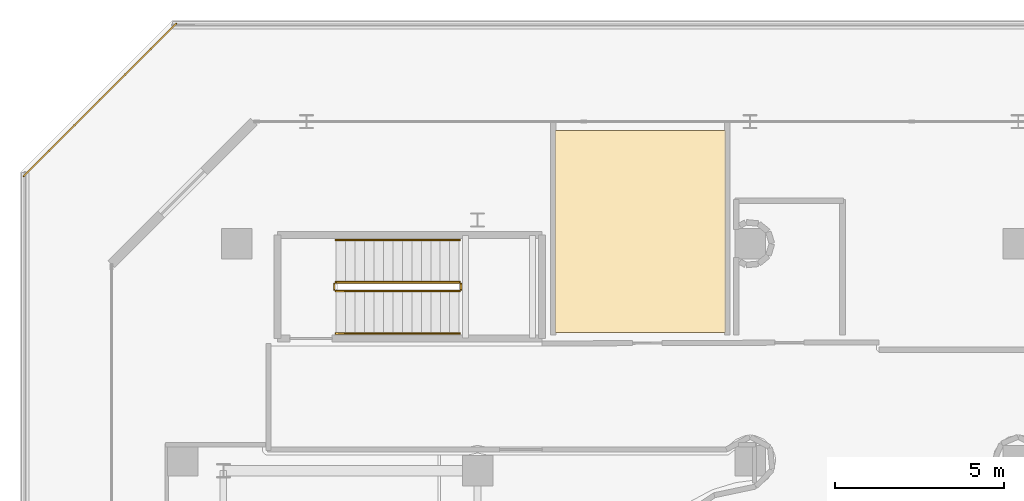
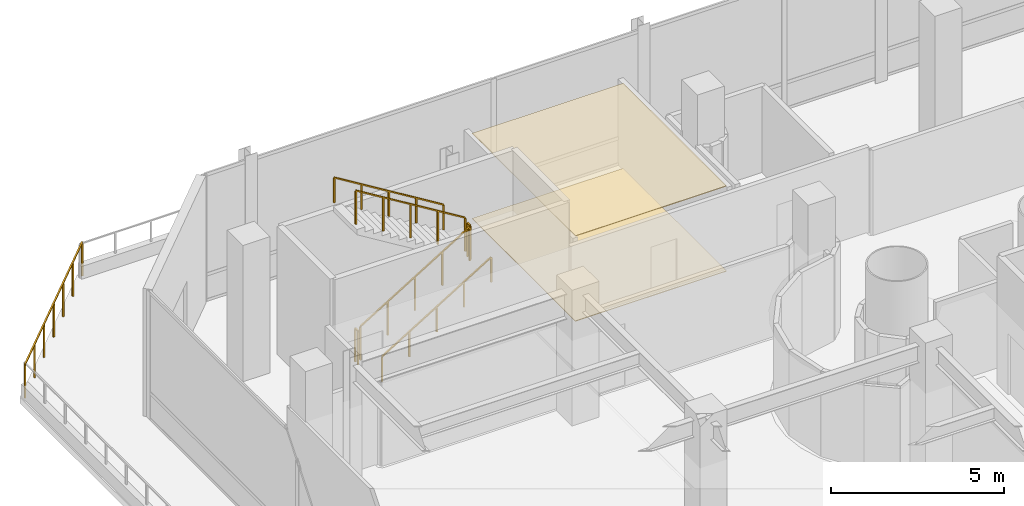
# One storey, part 38 of 39: 7 railings, 2 coverings.
"""IFC4 building model written with IfcOpenShell, lengths in metres."""

from ifc_helpers import new_model, si_unit, direction, frame, origin, origin_2d, place, context, subcontext, project, spatial, polyline, rectangle, outline, extrude, material, layer, layer_set, type_object, element, save


model = new_model("IFC4")

# Units and contexts
model_context = context("Model", 3, precision=1e-05, world=origin(), true_north=direction((0.0, 1.0)))
body_context = subcontext(model_context, "Body", "Model", "MODEL_VIEW")
ifc_project = project(units=[si_unit("LENGTHUNIT", "METRE"), si_unit("AREAUNIT", "SQUARE_METRE"), si_unit("VOLUMEUNIT", "CUBIC_METRE"), si_unit("PLANEANGLEUNIT", "RADIAN"), si_unit("MASSUNIT", "GRAM", prefix="KILO")], contexts=[model_context])

# Site, building, storey
site_placement = place(None, origin())
site = spatial("IfcSite", under=ifc_project, at=site_placement, CompositionType="ELEMENT")
building_placement = place(site_placement, origin())
building = spatial("IfcBuilding", under=site, at=building_placement, Name="Qianvela Tower", CompositionType="ELEMENT")
storey_placement = place(building_placement, frame((0.0, 0.0, 15.800048828125)))
storey = spatial("IfcBuildingStorey", under=building, at=storey_placement, Name="L03", CompositionType="ELEMENT", Elevation=15.800048828125)

# Coverings
ifc_material_1 = material(Name="Perforated Mineral Acoustic Ceiling Tile")
ifc_layer_1 = layer(ifc_material_1, 0.02490234375)
ifc_layer_set_1 = layer_set([ifc_layer_1], Name="Perforated Mineral Acoustic Ceiling Tile")
covering_type_1 = type_object("IfcCoveringType", Name="COV-CEIL-ACOUSTIC-25", PredefinedType="CEILING", material=ifc_layer_set_1)
covering_1_placement = place(storey_placement, frame((0.0, 0.0, 2.994873046875)))
element("IfcCovering", 1, at=covering_1_placement, inside=storey, type_object=covering_type_1, Name="L03 Acoustic Ceiling L03 Public Washrooms", PredefinedType="CEILING", context=body_context, shape_type="SweptSolid", body=[
    extrude(outline(polyline([(17.280029296875, 47.239990234375), (22.320068359375, 47.239990234375), (22.320068359375, 41.280029296875), (17.280029296875, 41.280029296875), (17.280029296875, 47.239990234375)])), origin(), (0.0, 0.0, 1.0), 0.025146484375),
])
ifc_material_2 = material(Name="Engineered Acoustic Oak Timber Flooring", Category="wood")
ifc_layer_2 = layer(ifc_material_2, 0.02001953125)
ifc_layer_set_2 = layer_set([ifc_layer_2], Name="Engineered Acoustic Oak Timber Flooring")
covering_type_2 = type_object("IfcCoveringType", Name="COV-FLOOR-OAK-20", PredefinedType="FLOORING", material=ifc_layer_set_2)
covering_2_placement = place(storey_placement, origin())
element("IfcCovering", 2, at=covering_2_placement, inside=storey, type_object=covering_type_2, Name="L03 Finish Flooring L03 Public Washrooms", PredefinedType="FLOORING", context=body_context, shape_type="SweptSolid", body=[
    extrude(outline(polyline([(17.280029296875, 47.239990234375), (22.320068359375, 47.239990234375), (22.320068359375, 41.280029296875), (17.280029296875, 41.280029296875), (17.280029296875, 47.239990234375)])), origin(), (0.0, 0.0, 1.0), 0.02001953125),
])

# Railings
ifc_material_3 = material(Name="Brushed Stainless Steel 316 and Laminated Glass", Category="steel")
railing_type_1 = type_object("IfcRailingType", Name="RL-EXT-GUARD-1200", PredefinedType="GUARDRAIL", material=ifc_material_3)
railing_1_placement = place(storey_placement, frame((6.106201171875, 50.393798828125, 0.0)))
element("IfcRailing", 3, at=railing_1_placement, inside=storey, type_object=railing_type_1, Name="L03 Podium Terrace Guardrail 6", PredefinedType="GUARDRAIL", context=body_context, shape_type="SweptSolid", body=[
    extrude(rectangle(XDim=0.050048828125, YDim=0.0400390625, at=origin_2d()), frame((0.0, 0.0, 1.179931640625), z_axis=(-0.707106781187, -0.707106781187, 0.0), x_axis=(0.707106781187, -0.707106781187, 0.0)), (0.0, 0.0, 1.0), 6.364013671875),
    extrude(rectangle(XDim=0.050048828125, YDim=0.050048828125, at=origin_2d()), origin(), (0.0, 0.0, 1.0), 1.159912109375),
    extrude(rectangle(XDim=0.050048828125, YDim=0.050048828125, at=origin_2d()), frame((-0.75, -0.75, 0.0)), (0.0, 0.0, 1.0), 1.159912109375),
    extrude(rectangle(XDim=0.050048828125, YDim=0.050048828125, at=origin_2d()), frame((-1.5, -1.5, 0.0)), (0.0, 0.0, 1.0), 1.159912109375),
    extrude(rectangle(XDim=0.050048828125, YDim=0.050048828125, at=origin_2d()), frame((-2.25, -2.25, 0.0)), (0.0, 0.0, 1.0), 1.159912109375),
    extrude(rectangle(XDim=0.050048828125, YDim=0.050048828125, at=origin_2d()), frame((-3.0, -3.0, 0.0)), (0.0, 0.0, 1.0), 1.159912109375),
    extrude(rectangle(XDim=0.050048828125, YDim=0.050048828125, at=origin_2d()), frame((-3.75, -3.75, 0.0)), (0.0, 0.0, 1.0), 1.159912109375),
    extrude(rectangle(XDim=0.050048828125, YDim=0.050048828125, at=origin_2d()), frame((-4.5, -4.5, 0.0)), (0.0, 0.0, 1.0), 1.159912109375),
])
ifc_material_4 = material(Name="Painted Tubular Steel Q355B", Category="steel")
railing_type_2 = type_object("IfcRailingType", Name="RL-STAIR-GUARD-1200", PredefinedType="GUARDRAIL", material=ifc_material_4)
railing_2_placement = place(storey_placement, frame((10.820068359375, 42.5, 0.17138671875)))
element("IfcRailing", 4, at=railing_2_placement, inside=storey, type_object=railing_type_2, Name="L03 ST-3 stair guard 1", PredefinedType="GUARDRAIL", context=body_context, shape_type="SweptSolid", body=[
    extrude(rectangle(XDim=0.050048828125, YDim=0.0400390625, at=origin_2d()), frame((0.0, 0.0, 1.179931640625), z_axis=(0.852850264322, 0.0, 0.5221555579), x_axis=(0.0, 1.0, 0.0)), (0.0, 0.0, 1.0), 4.267822265625),
    extrude(rectangle(XDim=0.050048828125, YDim=0.050048828125, at=origin_2d()), origin(), (0.0, 0.0, 1.0), 1.159912109375),
    extrude(rectangle(XDim=0.050048828125, YDim=0.050048828125, at=origin_2d()), frame((0.909912109375, 0.0, 0.55712890625)), (0.0, 0.0, 1.0), 1.159912109375),
    extrude(rectangle(XDim=0.050048828125, YDim=0.050048828125, at=origin_2d()), frame((1.81982421875, 0.0, 1.1142578125)), (0.0, 0.0, 1.0), 1.159912109375),
    extrude(rectangle(XDim=0.050048828125, YDim=0.050048828125, at=origin_2d()), frame((2.72998046875, 0.0, 1.67138671875)), (0.0, 0.0, 1.0), 1.159912109375),
    extrude(rectangle(XDim=0.050048828125, YDim=0.050048828125, at=origin_2d()), frame((3.639892578125, 0.0, 2.228515625)), (0.0, 0.0, 1.0), 1.159912109375),
])
railing_3_placement = place(storey_placement, frame((14.510009765625, 42.550048828125, 2.39990234375)))
element("IfcRailing", 5, at=railing_3_placement, inside=storey, type_object=railing_type_2, Name="L03 ST-3 stair guard 2", PredefinedType="GUARDRAIL", context=body_context, shape_type="SweptSolid", body=[
    extrude(rectangle(XDim=0.050048828125, YDim=0.0400390625, at=origin_2d()), frame((0.0, 0.0, 1.179931640625), z_axis=(0.0, 1.0, 0.0), x_axis=(-1.0, 0.0, 0.0)), (0.0, 0.0, 1.0), 0.159912109375),
    extrude(rectangle(XDim=0.050048828125, YDim=0.050048828125, at=origin_2d()), origin(), (0.0, 0.0, 1.0), 1.159912109375),
    extrude(rectangle(XDim=0.050048828125, YDim=0.050048828125, at=origin_2d()), frame((0.0, 0.159912109375, 0.0)), (0.0, 0.0, 1.0), 1.159912109375),
])
railing_4_placement = place(storey_placement, frame((14.4599609375, 42.760009765625, 2.5712890625)))
element("IfcRailing", 6, at=railing_4_placement, inside=storey, type_object=railing_type_2, Name="L03 ST-3 stair guard 3", PredefinedType="GUARDRAIL", context=body_context, shape_type="SweptSolid", body=[
    extrude(rectangle(XDim=0.050048828125, YDim=0.0400390625, at=origin_2d()), frame((0.0, 0.0, 1.179931640625), z_axis=(-0.852824790078, 0.0, 0.522197163366), x_axis=(0.0, -1.0, 0.0)), (0.0, 0.0, 1.0), 4.26806640625),
    extrude(rectangle(XDim=0.050048828125, YDim=0.050048828125, at=origin_2d()), origin(), (0.0, 0.0, 1.0), 1.159912109375),
    extrude(rectangle(XDim=0.050048828125, YDim=0.050048828125, at=origin_2d()), frame((-0.909912109375, 0.0, 0.55712890625)), (0.0, 0.0, 1.0), 1.159912109375),
    extrude(rectangle(XDim=0.050048828125, YDim=0.050048828125, at=origin_2d()), frame((-1.81982421875, 0.0, 1.1142578125)), (0.0, 0.0, 1.0), 1.159912109375),
    extrude(rectangle(XDim=0.050048828125, YDim=0.050048828125, at=origin_2d()), frame((-2.72998046875, 0.0, 1.671630859375)), (0.0, 0.0, 1.0), 1.159912109375),
    extrude(rectangle(XDim=0.050048828125, YDim=0.050048828125, at=origin_2d()), frame((-3.639892578125, 0.0, 2.228759765625)), (0.0, 0.0, 1.0), 1.159912109375),
])
railing_5_placement = place(storey_placement, frame((10.77001953125, 42.550048828125, 0.0)))
element("IfcRailing", 7, at=railing_5_placement, inside=storey, type_object=railing_type_2, Name="L03 ST-3 stair guard 4", PredefinedType="GUARDRAIL", context=body_context, shape_type="SweptSolid", body=[
    extrude(rectangle(XDim=0.050048828125, YDim=0.0400390625, at=origin_2d()), frame((0.0, 0.0, 1.179931640625), z_axis=(0.0, 1.0, 0.0), x_axis=(-1.0, 0.0, 0.0)), (0.0, 0.0, 1.0), 0.159912109375),
    extrude(rectangle(XDim=0.050048828125, YDim=0.050048828125, at=origin_2d()), origin(), (0.0, 0.0, 1.0), 1.159912109375),
    extrude(rectangle(XDim=0.050048828125, YDim=0.050048828125, at=origin_2d()), frame((0.0, 0.159912109375, 0.0)), (0.0, 0.0, 1.0), 1.159912109375),
])
ifc_material_5 = material(Name="Brushed Stainless Steel 304", Category="steel")
railing_type_3 = type_object("IfcRailingType", Name="RL-STAIR-HANDRAIL-900", PredefinedType="HANDRAIL", material=ifc_material_5)
railing_6_placement = place(storey_placement, frame((10.820068359375, 41.25, 0.17138671875)))
element("IfcRailing", 8, at=railing_6_placement, inside=storey, type_object=railing_type_3, Name="L03 ST-3 stair handrail 1", PredefinedType="HANDRAIL", context=body_context, shape_type="SweptSolid", body=[
    extrude(rectangle(XDim=0.050048828125, YDim=0.0400390625, at=origin_2d()), frame((0.0, 0.0, 0.8798828125), z_axis=(0.852850264322, 0.0, 0.5221555579), x_axis=(0.0, 1.0, 0.0)), (0.0, 0.0, 1.0), 4.267822265625),
    extrude(rectangle(XDim=0.050048828125, YDim=0.050048828125, at=origin_2d()), origin(), (0.0, 0.0, 1.0), 0.85986328125),
    extrude(rectangle(XDim=0.050048828125, YDim=0.050048828125, at=origin_2d()), frame((0.909912109375, 0.0, 0.55712890625)), (0.0, 0.0, 1.0), 0.85986328125),
    extrude(rectangle(XDim=0.050048828125, YDim=0.050048828125, at=origin_2d()), frame((1.81982421875, 0.0, 1.1142578125)), (0.0, 0.0, 1.0), 0.85986328125),
    extrude(rectangle(XDim=0.050048828125, YDim=0.050048828125, at=origin_2d()), frame((2.72998046875, 0.0, 1.67138671875)), (0.0, 0.0, 1.0), 0.85986328125),
    extrude(rectangle(XDim=0.050048828125, YDim=0.050048828125, at=origin_2d()), frame((3.639892578125, 0.0, 2.228515625)), (0.0, 0.0, 1.0), 0.85986328125),
])
railing_7_placement = place(storey_placement, frame((14.4599609375, 44.010009765625, 2.5712890625)))
element("IfcRailing", 9, at=railing_7_placement, inside=storey, type_object=railing_type_3, Name="L03 ST-3 stair handrail 2", PredefinedType="HANDRAIL", context=body_context, shape_type="SweptSolid", body=[
    extrude(rectangle(XDim=0.050048828125, YDim=0.0400390625, at=origin_2d()), frame((0.0, 0.0, 0.8798828125), z_axis=(-0.852824790078, 0.0, 0.522197163366), x_axis=(0.0, -1.0, 0.0)), (0.0, 0.0, 1.0), 4.26806640625),
    extrude(rectangle(XDim=0.050048828125, YDim=0.050048828125, at=origin_2d()), origin(), (0.0, 0.0, 1.0), 0.85986328125),
    extrude(rectangle(XDim=0.050048828125, YDim=0.050048828125, at=origin_2d()), frame((-0.909912109375, 0.0, 0.55712890625)), (0.0, 0.0, 1.0), 0.85986328125),
    extrude(rectangle(XDim=0.050048828125, YDim=0.050048828125, at=origin_2d()), frame((-1.81982421875, 0.0, 1.1142578125)), (0.0, 0.0, 1.0), 0.85986328125),
    extrude(rectangle(XDim=0.050048828125, YDim=0.050048828125, at=origin_2d()), frame((-2.72998046875, 0.0, 1.671630859375)), (0.0, 0.0, 1.0), 0.85986328125),
    extrude(rectangle(XDim=0.050048828125, YDim=0.050048828125, at=origin_2d()), frame((-3.639892578125, 0.0, 2.228759765625)), (0.0, 0.0, 1.0), 0.85986328125),
])

save(model, "model.ifc")
